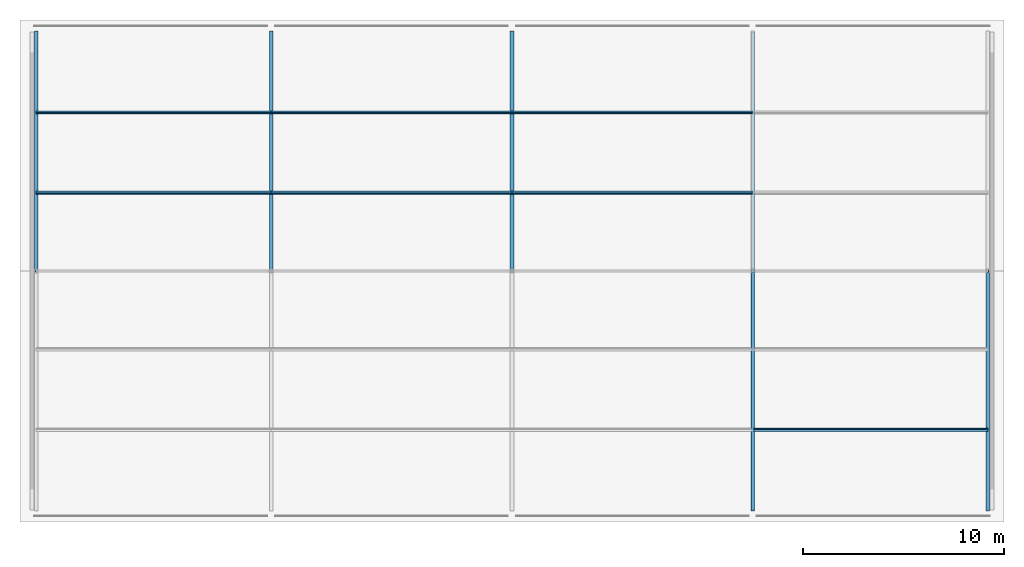
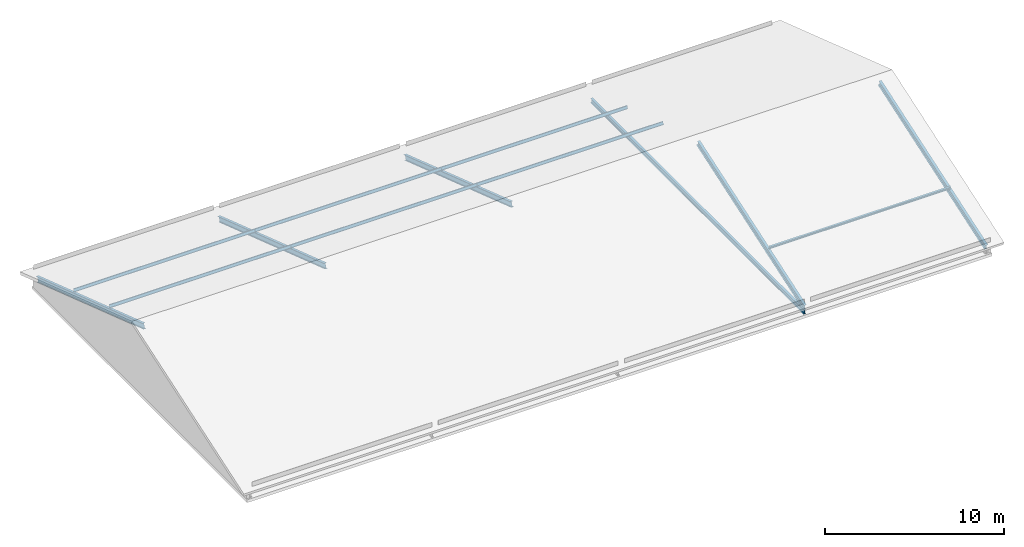
# One storey, part 7 of 12: 13 members.
"""IFC4 building model written with IfcOpenShell, lengths in metres."""

from ifc_helpers import new_model, si_unit, direction, frame, origin, origin_2d, place, context, subcontext, project, spatial, i_section, extrude, material, material_profile, profile_set, type_object, element, save


model = new_model("IFC4")

# Units and contexts
model_context = context("Model", 3, precision=1e-05, world=origin(), true_north=direction((0.0, 1.0)))
body_context = subcontext(model_context, "Body", "Model", "MODEL_VIEW")
ifc_project = project(units=[si_unit("LENGTHUNIT", "METRE"), si_unit("AREAUNIT", "SQUARE_METRE"), si_unit("VOLUMEUNIT", "CUBIC_METRE"), si_unit("PLANEANGLEUNIT", "RADIAN"), si_unit("MASSUNIT", "GRAM", prefix="KILO")], contexts=[model_context])

# Site, building, storey
site_placement = place(None, origin())
site = spatial("IfcSite", under=ifc_project, at=site_placement, CompositionType="ELEMENT")
building_placement = place(site_placement, origin())
building = spatial("IfcBuilding", under=site, at=building_placement, Name="Lilac Gate Convention Centre", CompositionType="ELEMENT")
storey_placement = place(building_placement, frame((0.0, 0.0, 71.39990234375)))
storey = spatial("IfcBuildingStorey", under=building, at=storey_placement, Name="Roof", CompositionType="ELEMENT", Elevation=71.39990234375)

# Members
ifc_material = material(Name="Steel Q355B", Category="steel")
ifc_material_profile_1 = material_profile(ifc_material, i_section(OverallWidth=0.10009765625, OverallDepth=0.199951171875, WebThickness=0.005615234375, FlangeThickness=0.008056640625, FilletRadius=0.008056640625, at=origin_2d()), Name="HN200x100x5.5x8")
ifc_profile_set_1 = profile_set([ifc_material_profile_1], Name="Steel Q355B")
member_type_1 = type_object("IfcMemberType", Name="Crown purlin HN200x100x5.5x8", PredefinedType="PURLIN", material=ifc_profile_set_1)
for number, where, z_axis, x_axis, name in (
    (1, (78.0, 226.10009765625, 2.1005859375), (1.0, 0.0, 0.0), (0.0, 0.947883747493, 0.318616385704), "CU1 crown purlin 1 bay 4"),
    (2, (42.300048828125, 237.89990234375, 3.4453125), (1.0, 0.0, 0.0), (0.0, 0.947883747493, -0.318616385704), "CU1 crown purlin 4 bay 1"),
):
    element("IfcMember", number, at=place(storey_placement, frame(where, z_axis=z_axis, x_axis=x_axis)), inside=storey, type_object=member_type_1, Name=name, PredefinedType="PURLIN", context=body_context, shape_type="SweptSolid", body=[
        extrude(i_section(OverallWidth=0.10009765625, OverallDepth=0.199951171875, WebThickness=0.005615234375, FlangeThickness=0.008056640625, FilletRadius=0.008056640625, at=origin_2d()), origin(), (0.0, 0.0, 1.0), 11.699951171875),
    ])
for number, where, z_axis, x_axis, name in (
    (3, (54.0, 237.89990234375, 3.4453125), (1.0, 0.0, 0.0), (0.0, 0.947883747493, -0.318616385704), "CU1 crown purlin 4 bay 2"),
    (4, (66.0, 237.89990234375, 3.4453125), (1.0, 0.0, 0.0), (0.0, 0.947883747493, -0.318616385704), "CU1 crown purlin 4 bay 3"),
):
    element("IfcMember", number, at=place(storey_placement, frame(where, z_axis=z_axis, x_axis=x_axis)), inside=storey, type_object=member_type_1, Name=name, PredefinedType="PURLIN", context=body_context, shape_type="SweptSolid", body=[
        extrude(i_section(OverallWidth=0.10009765625, OverallDepth=0.199951171875, WebThickness=0.005615234375, FlangeThickness=0.008056640625, FilletRadius=0.008056640625, at=origin_2d()), origin(), (0.0, 0.0, 1.0), 12.0),
    ])
member_1_placement = place(storey_placement, frame((42.300048828125, 241.89990234375, 2.1005859375), z_axis=(1.0, 0.0, 0.0), x_axis=(0.0, 0.947883747493, -0.318616385704)))
element("IfcMember", 5, at=member_1_placement, inside=storey, type_object=member_type_1, Name="CU1 crown purlin 5 bay 1", PredefinedType="PURLIN", context=body_context, shape_type="SweptSolid", body=[
    extrude(i_section(OverallWidth=0.10009765625, OverallDepth=0.199951171875, WebThickness=0.005615234375, FlangeThickness=0.008056640625, FilletRadius=0.008056640625, at=origin_2d()), origin(), (0.0, 0.0, 1.0), 11.699951171875),
])
for number, where, z_axis, x_axis, name in (
    (6, (54.0, 241.89990234375, 2.1005859375), (1.0, 0.0, 0.0), (0.0, 0.947883747493, -0.318616385704), "CU1 crown purlin 5 bay 2"),
    (7, (66.0, 241.89990234375, 2.1005859375), (1.0, 0.0, 0.0), (0.0, 0.947883747493, -0.318616385704), "CU1 crown purlin 5 bay 3"),
):
    element("IfcMember", number, at=place(storey_placement, frame(where, z_axis=z_axis, x_axis=x_axis)), inside=storey, type_object=member_type_1, Name=name, PredefinedType="PURLIN", context=body_context, shape_type="SweptSolid", body=[
        extrude(i_section(OverallWidth=0.10009765625, OverallDepth=0.199951171875, WebThickness=0.005615234375, FlangeThickness=0.008056640625, FilletRadius=0.008056640625, at=origin_2d()), origin(), (0.0, 0.0, 1.0), 12.0),
    ])
ifc_material_profile_2 = material_profile(ifc_material, i_section(OverallWidth=0.175048828125, OverallDepth=0.35009765625, WebThickness=0.007080078125, FlangeThickness=0.010986328125, FilletRadius=0.012939453125, at=origin_2d()), Name="HN350x175x7x11")
ifc_profile_set_2 = profile_set([ifc_material_profile_2], Name="Steel Q355B")
member_type_2 = type_object("IfcMemberType", Name="Crown rafter HN350x175x7x11", PredefinedType="RAFTER", material=ifc_profile_set_2)
for number, where, z_axis, x_axis, name in (
    (8, (42.300048828125, 245.89990234375, 0.466064453125), (0.0, -0.947882957814, 0.318618734989), (1.0, 0.0, 0.0), "CR1 crown frame 1 rafter N"),
    (9, (54.0, 245.89990234375, 0.466064453125), (0.0, -0.947882957814, 0.318618734989), (1.0, 0.0, 0.0), "CR1 crown frame 2 rafter N"),
    (10, (66.0, 245.89990234375, 0.466064453125), (0.0, -0.947882957814, 0.318618734989), (1.0, 0.0, 0.0), "CR1 crown frame 3 rafter N"),
    (11, (78.0, 222.10009765625, 0.466064453125), (0.0, 0.947882957814, 0.318618734989), (-1.0, 0.0, 0.0), "CR1 crown frame 4 rafter S"),
    (12, (89.699951171875, 222.10009765625, 0.466064453125), (0.0, 0.947882957814, 0.318618734989), (-1.0, 0.0, 0.0), "CR1 crown frame 5 rafter S"),
):
    element("IfcMember", number, at=place(storey_placement, frame(where, z_axis=z_axis, x_axis=x_axis)), inside=storey, type_object=member_type_2, Name=name, PredefinedType="RAFTER", context=body_context, shape_type="SweptSolid", body=[
        extrude(i_section(OverallWidth=0.175048828125, OverallDepth=0.35009765625, WebThickness=0.007080078125, FlangeThickness=0.010986328125, FilletRadius=0.012939453125, at=origin_2d()), origin(), (0.0, 0.0, 1.0), 12.55419921875),
    ])
ifc_material_profile_3 = material_profile(ifc_material, i_section(OverallWidth=0.14990234375, OverallDepth=0.300048828125, WebThickness=0.006591796875, FlangeThickness=0.009033203125, FilletRadius=0.012939453125, at=origin_2d()), Name="HN300x150x6.5x9")
ifc_profile_set_3 = profile_set([ifc_material_profile_3], Name="Steel Q355B")
member_type_3 = type_object("IfcMemberType", Name="Crown tie HN300x150x6.5x9", PredefinedType="STRUT", material=ifc_profile_set_3)
member_2_placement = place(storey_placement, frame((78.0, 222.10009765625, 0.150146484375), z_axis=(0.0, 1.0, 0.0), x_axis=(-1.0, 0.0, 0.0)))
element("IfcMember", 13, at=member_2_placement, inside=storey, type_object=member_type_3, Name="CT1 crown frame 4 tie", PredefinedType="STRUT", context=body_context, shape_type="SweptSolid", body=[
    extrude(i_section(OverallWidth=0.14990234375, OverallDepth=0.300048828125, WebThickness=0.006591796875, FlangeThickness=0.009033203125, FilletRadius=0.012939453125, at=origin_2d()), origin(), (0.0, 0.0, 1.0), 23.7998046875),
])

save(model, "model.ifc")
